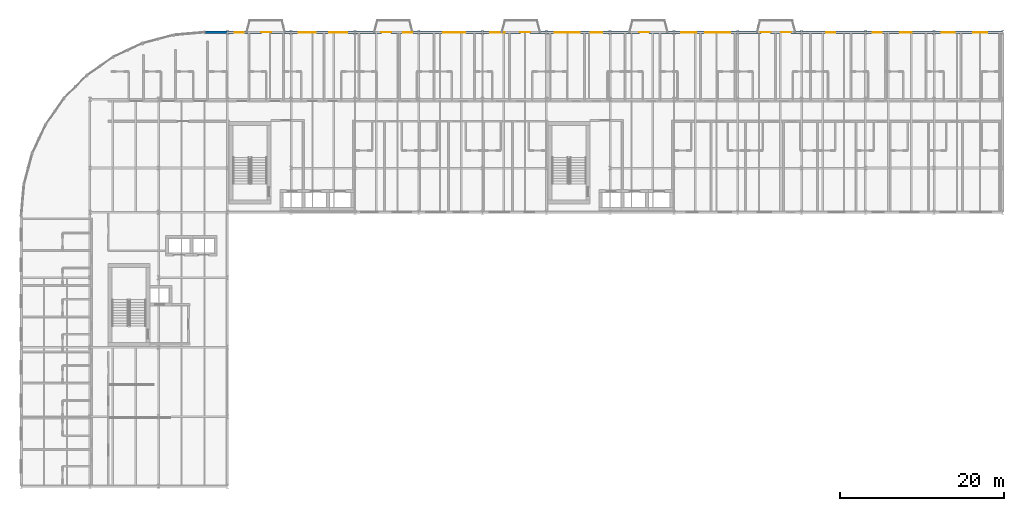
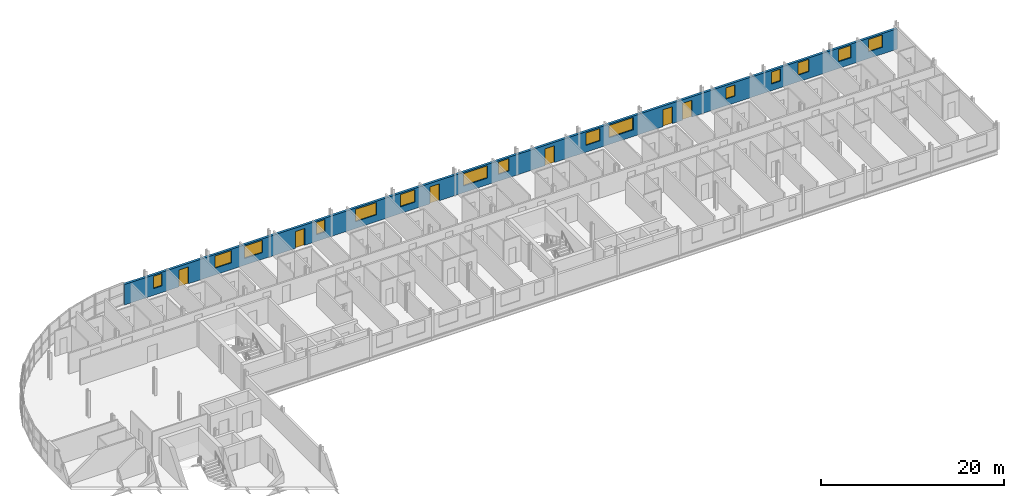
# One storey, part 29 of 34: 15 windows, 6 doors, 1 wall, 21 openings.
"""IFC4 building model written with IfcOpenShell, lengths in metres."""

from ifc_helpers import new_model, si_unit, direction, frame, frame_2d, origin, place, context, subcontext, project, spatial, rectangle, extrude, material, layer, layer_set, type_object, element, fill, save


model = new_model("IFC4")

# Units and contexts
model_context = context("Model", 3, precision=1e-05, world=origin(), true_north=direction((0.0, 1.0)))
body_context = subcontext(model_context, "Body", "Model", "MODEL_VIEW")
ifc_project = project(units=[si_unit("LENGTHUNIT", "METRE"), si_unit("AREAUNIT", "SQUARE_METRE"), si_unit("VOLUMEUNIT", "CUBIC_METRE"), si_unit("PLANEANGLEUNIT", "RADIAN"), si_unit("MASSUNIT", "GRAM", prefix="KILO")], contexts=[model_context])

# Site, building, storey
site_placement = place(None, origin())
site = spatial("IfcSite", under=ifc_project, at=site_placement, CompositionType="ELEMENT")
building_placement = place(site_placement, origin())
building = spatial("IfcBuilding", under=site, at=building_placement, Name="Sefraquen Railside Congress Hotel", CompositionType="ELEMENT")
storey_placement = place(building_placement, frame((0.0, 0.0, 31.800048828125)))
storey = spatial("IfcBuildingStorey", under=building, at=storey_placement, Name="L07", CompositionType="ELEMENT", Elevation=31.800048828125)

# Wall, openings, doors, windows
ifc_material_1 = material(Name="Ochre Rabat calcarenite limestone and Concrete C40/50 backing", Category="masonry")
ifc_layer = layer(ifc_material_1, 0.300048828125)
ifc_layer_set = layer_set([ifc_layer], Name="Ochre Rabat calcarenite limestone and Concrete C40/50 backing")
wall_type = type_object("IfcWallType", Name="TW-EW-300", PredefinedType="STANDARD", material=ifc_layer_set)
wall_placement = place(storey_placement, frame((22.5, 118.0, 0.0), z_axis=(0.0, 0.0, 1.0), x_axis=(1.0, 0.0, 0.0)))
wall = element("IfcWall", 1, at=wall_placement, inside=storey, type_object=wall_type, Name="Hotel L07 North Boulevard limestone facade wall", PredefinedType="STANDARD", context=body_context, shape_type="SweptSolid", body=[
    extrude(rectangle(XDim=97.5, YDim=0.300048828125, at=frame_2d((48.75, 0.0))), origin(), (0.0, 0.0, 1.0), 2.719970703125),
])
opening_1_placement = place(wall_placement, frame((3.610107421875, 0.0, 0.89990234375)))
opening_1 = element("IfcOpeningElement", 2, at=opening_1_placement, cuts=wall, Name="Opening WN-05", PredefinedType="OPENING", context=body_context, shape_type="SweptSolid", body=[
    extrude(rectangle(XDim=1.10009765625, YDim=1.639892578125, at=frame_2d((0.550048828125, 0.81982421875))), frame((0.0, 0.159912109375, 0.0), z_axis=(0.0, -1.0, 0.0), x_axis=(1.0, 0.0, 0.0)), (0.0, 0.0, 1.0), 0.320068359375),
])
opening_2_placement = place(wall_placement, frame((6.85498046875, 0.0, 0.0)))
opening_2 = element("IfcOpeningElement", 3, at=opening_2_placement, cuts=wall, Name="Opening BD-01", PredefinedType="OPENING", context=body_context, shape_type="SweptSolid", body=[
    extrude(rectangle(XDim=1.199951171875, YDim=2.25, at=frame_2d((0.60009765625, 1.125))), frame((0.0, 0.159912109375, 0.0), z_axis=(0.0, -1.0, 0.0), x_axis=(1.0, 0.0, 0.0)), (0.0, 0.0, 1.0), 0.320068359375),
])
opening_3_placement = place(wall_placement, frame((11.405029296875, 0.0, 0.89990234375)))
opening_3 = element("IfcOpeningElement", 4, at=opening_3_placement, cuts=wall, Name="Opening WN-07", PredefinedType="OPENING", context=body_context, shape_type="SweptSolid", body=[
    extrude(rectangle(XDim=2.10009765625, YDim=1.639892578125, at=frame_2d((1.050048828125, 0.81982421875))), frame((0.0, 0.159912109375, 0.0), z_axis=(0.0, -1.0, 0.0), x_axis=(1.0, 0.0, 0.0)), (0.0, 0.0, 1.0), 0.320068359375),
])
opening_4_placement = place(wall_placement, frame((15.1298828125, 0.0, 0.89990234375)))
opening_4 = element("IfcOpeningElement", 5, at=opening_4_placement, cuts=wall, Name="Opening WN-08", PredefinedType="OPENING", context=body_context, shape_type="SweptSolid", body=[
    extrude(rectangle(XDim=2.25, YDim=1.639892578125, at=frame_2d((1.125, 0.81982421875))), frame((0.0, 0.159912109375, 0.0), z_axis=(0.0, -1.0, 0.0), x_axis=(1.0, 0.0, 0.0)), (0.0, 0.0, 1.0), 0.320068359375),
])
opening_5_placement = place(wall_placement, frame((21.530029296875, 0.0, 0.0)))
opening_5 = element("IfcOpeningElement", 6, at=opening_5_placement, cuts=wall, Name="Opening BD-01", PredefinedType="OPENING", context=body_context, shape_type="SweptSolid", body=[
    extrude(rectangle(XDim=1.199951171875, YDim=2.25, at=frame_2d((0.60009765625, 1.125))), frame((0.0, 0.159912109375, 0.0), z_axis=(0.0, -1.0, 0.0), x_axis=(1.0, 0.0, 0.0)), (0.0, 0.0, 1.0), 0.320068359375),
])
opening_6_placement = place(wall_placement, frame((24.179931640625, 0.0, 0.89990234375)))
opening_6 = element("IfcOpeningElement", 7, at=opening_6_placement, cuts=wall, Name="Opening WN-10", PredefinedType="OPENING", context=body_context, shape_type="SweptSolid", body=[
    extrude(rectangle(XDim=1.10009765625, YDim=1.639892578125, at=frame_2d((0.550048828125, 0.81982421875))), frame((0.0, 0.159912109375, 0.0), z_axis=(0.0, -1.0, 0.0), x_axis=(1.0, 0.0, 0.0)), (0.0, 0.0, 1.0), 0.320068359375),
])
opening_7_placement = place(wall_placement, frame((29.10498046875, 0.0, 0.89990234375)))
opening_7 = element("IfcOpeningElement", 8, at=opening_7_placement, cuts=wall, Name="Opening WN-11", PredefinedType="OPENING", context=body_context, shape_type="SweptSolid", body=[
    extrude(rectangle(XDim=2.699951171875, YDim=1.639892578125, at=frame_2d((1.35009765625, 0.81982421875))), frame((0.0, 0.159912109375, 0.0), z_axis=(0.0, -1.0, 0.0), x_axis=(1.0, 0.0, 0.0)), (0.0, 0.0, 1.0), 0.320068359375),
])
opening_8_placement = place(wall_placement, frame((34.830078125, 0.0, 0.89990234375)))
opening_8 = element("IfcOpeningElement", 9, at=opening_8_placement, cuts=wall, Name="Opening WN-12", PredefinedType="OPENING", context=body_context, shape_type="SweptSolid", body=[
    extrude(rectangle(XDim=1.800048828125, YDim=1.639892578125, at=frame_2d((0.89990234375, 0.81982421875))), frame((0.0, 0.159912109375, 0.0), z_axis=(0.0, -1.0, 0.0), x_axis=(1.0, 0.0, 0.0)), (0.0, 0.0, 1.0), 0.320068359375),
])
opening_9_placement = place(wall_placement, frame((38.52490234375, 0.0, 0.0)))
opening_9 = element("IfcOpeningElement", 10, at=opening_9_placement, cuts=wall, Name="Opening BD-01", PredefinedType="OPENING", context=body_context, shape_type="SweptSolid", body=[
    extrude(rectangle(XDim=1.199951171875, YDim=2.25, at=frame_2d((0.60009765625, 1.125))), frame((0.0, 0.159912109375, 0.0), z_axis=(0.0, -1.0, 0.0), x_axis=(1.0, 0.0, 0.0)), (0.0, 0.0, 1.0), 0.320068359375),
])
opening_10_placement = place(wall_placement, frame((42.72998046875, 0.0, 0.89990234375)))
opening_10 = element("IfcOpeningElement", 11, at=opening_10_placement, cuts=wall, Name="Opening WN-14", PredefinedType="OPENING", context=body_context, shape_type="SweptSolid", body=[
    extrude(rectangle(XDim=3.050048828125, YDim=1.639892578125, at=frame_2d((1.52490234375, 0.81982421875))), frame((0.0, 0.159912109375, 0.0), z_axis=(0.0, -1.0, 0.0), x_axis=(1.0, 0.0, 0.0)), (0.0, 0.0, 1.0), 0.320068359375),
])
opening_11_placement = place(wall_placement, frame((47.155029296875, 0.0, 0.89990234375)))
opening_11 = element("IfcOpeningElement", 12, at=opening_11_placement, cuts=wall, Name="Opening WN-15", PredefinedType="OPENING", context=body_context, shape_type="SweptSolid", body=[
    extrude(rectangle(XDim=1.35009765625, YDim=1.639892578125, at=frame_2d((0.675048828125, 0.81982421875))), frame((0.0, 0.159912109375, 0.0), z_axis=(0.0, -1.0, 0.0), x_axis=(1.0, 0.0, 0.0)), (0.0, 0.0, 1.0), 0.320068359375),
])
opening_12_placement = place(wall_placement, frame((53.06494140625, 0.0, 0.0)))
opening_12 = element("IfcOpeningElement", 13, at=opening_12_placement, cuts=wall, Name="Opening BD-01", PredefinedType="OPENING", context=body_context, shape_type="SweptSolid", body=[
    extrude(rectangle(XDim=1.199951171875, YDim=2.25, at=frame_2d((0.60009765625, 1.125))), frame((0.0, 0.159912109375, 0.0), z_axis=(0.0, -1.0, 0.0), x_axis=(1.0, 0.0, 0.0)), (0.0, 0.0, 1.0), 0.320068359375),
])
opening_13_placement = place(wall_placement, frame((58.199951171875, 0.0, 0.89990234375)))
opening_13 = element("IfcOpeningElement", 14, at=opening_13_placement, cuts=wall, Name="Opening WN-17", PredefinedType="OPENING", context=body_context, shape_type="SweptSolid", body=[
    extrude(rectangle(XDim=1.800048828125, YDim=1.639892578125, at=frame_2d((0.89990234375, 0.81982421875))), frame((0.0, 0.159912109375, 0.0), z_axis=(0.0, -1.0, 0.0), x_axis=(1.0, 0.0, 0.0)), (0.0, 0.0, 1.0), 0.320068359375),
])
opening_14_placement = place(wall_placement, frame((61.1298828125, 0.0, 0.89990234375)))
opening_14 = element("IfcOpeningElement", 15, at=opening_14_placement, cuts=wall, Name="Opening WN-18", PredefinedType="OPENING", context=body_context, shape_type="SweptSolid", body=[
    extrude(rectangle(XDim=3.050048828125, YDim=1.639892578125, at=frame_2d((1.52490234375, 0.81982421875))), frame((0.0, 0.159912109375, 0.0), z_axis=(0.0, -1.0, 0.0), x_axis=(1.0, 0.0, 0.0)), (0.0, 0.0, 1.0), 0.320068359375),
])
opening_15_placement = place(wall_placement, frame((67.929931640625, 0.0, 0.0)))
opening_15 = element("IfcOpeningElement", 16, at=opening_15_placement, cuts=wall, Name="Opening BD-01", PredefinedType="OPENING", context=body_context, shape_type="SweptSolid", body=[
    extrude(rectangle(XDim=1.199951171875, YDim=2.25, at=frame_2d((0.60009765625, 1.125))), frame((0.0, 0.159912109375, 0.0), z_axis=(0.0, -1.0, 0.0), x_axis=(1.0, 0.0, 0.0)), (0.0, 0.0, 1.0), 0.320068359375),
])
opening_16_placement = place(wall_placement, frame((70.389892578125, 0.0, 0.0)))
opening_16 = element("IfcOpeningElement", 17, at=opening_16_placement, cuts=wall, Name="Opening BD-01", PredefinedType="OPENING", context=body_context, shape_type="SweptSolid", body=[
    extrude(rectangle(XDim=1.199951171875, YDim=2.25, at=frame_2d((0.60009765625, 1.125))), frame((0.0, 0.159912109375, 0.0), z_axis=(0.0, -1.0, 0.0), x_axis=(1.0, 0.0, 0.0)), (0.0, 0.0, 1.0), 0.320068359375),
])
opening_17_placement = place(wall_placement, frame((75.905029296875, 0.0, 0.89990234375)))
opening_17 = element("IfcOpeningElement", 18, at=opening_17_placement, cuts=wall, Name="Opening WN-21", PredefinedType="OPENING", context=body_context, shape_type="SweptSolid", body=[
    extrude(rectangle(XDim=1.10009765625, YDim=1.5, at=frame_2d((0.550048828125, 0.75))), frame((0.0, 0.159912109375, 0.0), z_axis=(0.0, -1.0, 0.0), x_axis=(1.0, 0.0, 0.0)), (0.0, 0.0, 1.0), 0.320068359375),
])
opening_18_placement = place(wall_placement, frame((81.6298828125, 0.0, 0.89990234375)))
opening_18 = element("IfcOpeningElement", 19, at=opening_18_placement, cuts=wall, Name="Opening WN-22", PredefinedType="OPENING", context=body_context, shape_type="SweptSolid", body=[
    extrude(rectangle(XDim=1.10009765625, YDim=1.60009765625, at=frame_2d((0.550048828125, 0.800048828125))), frame((0.0, 0.159912109375, 0.0), z_axis=(0.0, -1.0, 0.0), x_axis=(1.0, 0.0, 0.0)), (0.0, 0.0, 1.0), 0.320068359375),
])
opening_19_placement = place(wall_placement, frame((84.955078125, 0.0, 0.89990234375)))
opening_19 = element("IfcOpeningElement", 20, at=opening_19_placement, cuts=wall, Name="Opening WN-23", PredefinedType="OPENING", context=body_context, shape_type="SweptSolid", body=[
    extrude(rectangle(XDim=1.39990234375, YDim=1.639892578125, at=frame_2d((0.699951171875, 0.81982421875))), frame((0.0, 0.159912109375, 0.0), z_axis=(0.0, -1.0, 0.0), x_axis=(1.0, 0.0, 0.0)), (0.0, 0.0, 1.0), 0.320068359375),
])
opening_20_placement = place(wall_placement, frame((90.054931640625, 0.0, 0.89990234375)))
opening_20 = element("IfcOpeningElement", 21, at=opening_20_placement, cuts=wall, Name="Opening WN-24", PredefinedType="OPENING", context=body_context, shape_type="SweptSolid", body=[
    extrude(rectangle(XDim=1.60009765625, YDim=1.639892578125, at=frame_2d((0.800048828125, 0.81982421875))), frame((0.0, 0.159912109375, 0.0), z_axis=(0.0, -1.0, 0.0), x_axis=(1.0, 0.0, 0.0)), (0.0, 0.0, 1.0), 0.320068359375),
])
opening_21_placement = place(wall_placement, frame((93.8701171875, 0.0, 0.89990234375)))
opening_21 = element("IfcOpeningElement", 22, at=opening_21_placement, cuts=wall, Name="Opening WN-25", PredefinedType="OPENING", context=body_context, shape_type="SweptSolid", body=[
    extrude(rectangle(XDim=1.75, YDim=1.639892578125, at=frame_2d((0.875, 0.81982421875))), frame((0.0, 0.159912109375, 0.0), z_axis=(0.0, -1.0, 0.0), x_axis=(1.0, 0.0, 0.0)), (0.0, 0.0, 1.0), 0.320068359375),
])
ifc_material_2 = material(Name="Bronze and low-E fire-rated glass", Category="glass")
door_type = type_object("IfcDoorType", Name="TD-BD-01", OperationType="NOTDEFINED", PredefinedType="DOOR", material=ifc_material_2)
door_1_placement = place(opening_2_placement, origin())
door_1 = element("IfcDoor", 23, at=door_1_placement, inside=storey, type_object=door_type, Name="Guest balcony glazed door SP-L07-RM-002", OperationType="SINGLE_SWING_LEFT", OverallHeight=2.25, OverallWidth=1.199951171875, PredefinedType="DOOR", context=body_context, shape_type="SweptSolid", body=[
    extrude(rectangle(XDim=1.199951171875, YDim=2.25, at=frame_2d((0.60009765625, 1.125))), frame((0.0, 0.02490234375, 0.0), z_axis=(0.0, -1.0, 0.0), x_axis=(1.0, 0.0, 0.0)), (0.0, 0.0, 1.0), 0.050048828125),
])
fill(opening_2, door_1)
door_2_placement = place(opening_5_placement, origin())
door_2 = element("IfcDoor", 24, at=door_2_placement, inside=storey, type_object=door_type, Name="Guest balcony glazed door SP-L07-RM-005", OperationType="SINGLE_SWING_RIGHT", OverallHeight=2.25, OverallWidth=1.199951171875, PredefinedType="DOOR", context=body_context, shape_type="SweptSolid", body=[
    extrude(rectangle(XDim=1.199951171875, YDim=2.25, at=frame_2d((0.60009765625, 1.125))), frame((0.0, 0.02490234375, 0.0), z_axis=(0.0, -1.0, 0.0), x_axis=(1.0, 0.0, 0.0)), (0.0, 0.0, 1.0), 0.050048828125),
])
fill(opening_5, door_2)
door_3_placement = place(opening_9_placement, origin())
door_3 = element("IfcDoor", 25, at=door_3_placement, inside=storey, type_object=door_type, Name="Guest balcony glazed door SP-L07-RM-009", OperationType="SINGLE_SWING_RIGHT", OverallHeight=2.25, OverallWidth=1.199951171875, PredefinedType="DOOR", context=body_context, shape_type="SweptSolid", body=[
    extrude(rectangle(XDim=1.199951171875, YDim=2.25, at=frame_2d((0.60009765625, 1.125))), frame((0.0, 0.02490234375, 0.0), z_axis=(0.0, -1.0, 0.0), x_axis=(1.0, 0.0, 0.0)), (0.0, 0.0, 1.0), 0.050048828125),
])
fill(opening_9, door_3)
door_4_placement = place(opening_12_placement, origin())
door_4 = element("IfcDoor", 26, at=door_4_placement, inside=storey, type_object=door_type, Name="Guest balcony glazed door SP-L07-RM-012", OperationType="SINGLE_SWING_LEFT", OverallHeight=2.25, OverallWidth=1.199951171875, PredefinedType="DOOR", context=body_context, shape_type="SweptSolid", body=[
    extrude(rectangle(XDim=1.199951171875, YDim=2.25, at=frame_2d((0.60009765625, 1.125))), frame((0.0, 0.02490234375, 0.0), z_axis=(0.0, -1.0, 0.0), x_axis=(1.0, 0.0, 0.0)), (0.0, 0.0, 1.0), 0.050048828125),
])
fill(opening_12, door_4)
door_5_placement = place(opening_15_placement, origin())
door_5 = element("IfcDoor", 27, at=door_5_placement, inside=storey, type_object=door_type, Name="Guest balcony glazed door SP-L07-RM-015", OperationType="SINGLE_SWING_RIGHT", OverallHeight=2.25, OverallWidth=1.199951171875, PredefinedType="DOOR", context=body_context, shape_type="SweptSolid", body=[
    extrude(rectangle(XDim=1.199951171875, YDim=2.25, at=frame_2d((0.60009765625, 1.125))), frame((0.0, 0.02490234375, 0.0), z_axis=(0.0, -1.0, 0.0), x_axis=(1.0, 0.0, 0.0)), (0.0, 0.0, 1.0), 0.050048828125),
])
fill(opening_15, door_5)
door_6_placement = place(opening_16_placement, origin())
door_6 = element("IfcDoor", 28, at=door_6_placement, inside=storey, type_object=door_type, Name="Guest balcony glazed door SP-L07-RM-016", OperationType="SINGLE_SWING_LEFT", OverallHeight=2.25, OverallWidth=1.199951171875, PredefinedType="DOOR", context=body_context, shape_type="SweptSolid", body=[
    extrude(rectangle(XDim=1.199951171875, YDim=2.25, at=frame_2d((0.60009765625, 1.125))), frame((0.0, 0.02490234375, 0.0), z_axis=(0.0, -1.0, 0.0), x_axis=(1.0, 0.0, 0.0)), (0.0, 0.0, 1.0), 0.050048828125),
])
fill(opening_16, door_6)
ifc_material_3 = material(Name="Solar-control low-E double glazing in bronze-anodised frame", Category="glass")
window_type_1 = type_object("IfcWindowType", Name="TWN-W-05", PartitioningType="DOUBLE_PANEL_VERTICAL", PredefinedType="WINDOW", material=ifc_material_3)
window_1_placement = place(opening_1_placement, origin())
window_1 = element("IfcWindow", 29, at=window_1_placement, inside=storey, type_object=window_type_1, Name="Guest room north window SP-L07-RM-001", OverallHeight=1.639892578125, OverallWidth=1.10009765625, PartitioningType="DOUBLE_PANEL_VERTICAL", PredefinedType="WINDOW", context=body_context, shape_type="SweptSolid", body=[
    extrude(rectangle(XDim=1.10009765625, YDim=1.639892578125, at=frame_2d((0.550048828125, 0.81982421875))), frame((0.0, 0.030029296875, 0.0), z_axis=(0.0, -1.0, 0.0), x_axis=(1.0, 0.0, 0.0)), (0.0, 0.0, 1.0), 0.06005859375),
])
fill(opening_1, window_1)
window_type_2 = type_object("IfcWindowType", Name="TWN-W-07", PartitioningType="DOUBLE_PANEL_VERTICAL", PredefinedType="WINDOW", material=ifc_material_3)
window_2_placement = place(opening_3_placement, origin())
window_2 = element("IfcWindow", 30, at=window_2_placement, inside=storey, type_object=window_type_2, Name="Guest room north window SP-L07-RM-003", OverallHeight=1.639892578125, OverallWidth=2.10009765625, PartitioningType="DOUBLE_PANEL_VERTICAL", PredefinedType="WINDOW", context=body_context, shape_type="SweptSolid", body=[
    extrude(rectangle(XDim=2.10009765625, YDim=1.639892578125, at=frame_2d((1.050048828125, 0.81982421875))), frame((0.0, 0.030029296875, 0.0), z_axis=(0.0, -1.0, 0.0), x_axis=(1.0, 0.0, 0.0)), (0.0, 0.0, 1.0), 0.06005859375),
])
fill(opening_3, window_2)
window_type_3 = type_object("IfcWindowType", Name="TWN-W-08", PartitioningType="DOUBLE_PANEL_VERTICAL", PredefinedType="WINDOW", material=ifc_material_3)
window_3_placement = place(opening_4_placement, origin())
window_3 = element("IfcWindow", 31, at=window_3_placement, inside=storey, type_object=window_type_3, Name="Guest room north window SP-L07-RM-004", OverallHeight=1.639892578125, OverallWidth=2.25, PartitioningType="DOUBLE_PANEL_VERTICAL", PredefinedType="WINDOW", context=body_context, shape_type="SweptSolid", body=[
    extrude(rectangle(XDim=2.25, YDim=1.639892578125, at=frame_2d((1.125, 0.81982421875))), frame((0.0, 0.030029296875, 0.0), z_axis=(0.0, -1.0, 0.0), x_axis=(1.0, 0.0, 0.0)), (0.0, 0.0, 1.0), 0.06005859375),
])
fill(opening_4, window_3)
window_type_4 = type_object("IfcWindowType", Name="TWN-W-10", PartitioningType="DOUBLE_PANEL_VERTICAL", PredefinedType="WINDOW", material=ifc_material_3)
window_4_placement = place(opening_6_placement, origin())
window_4 = element("IfcWindow", 32, at=window_4_placement, inside=storey, type_object=window_type_4, Name="Guest room north window SP-L07-RM-006", OverallHeight=1.639892578125, OverallWidth=1.10009765625, PartitioningType="DOUBLE_PANEL_VERTICAL", PredefinedType="WINDOW", context=body_context, shape_type="SweptSolid", body=[
    extrude(rectangle(XDim=1.10009765625, YDim=1.639892578125, at=frame_2d((0.550048828125, 0.81982421875))), frame((0.0, 0.030029296875, 0.0), z_axis=(0.0, -1.0, 0.0), x_axis=(1.0, 0.0, 0.0)), (0.0, 0.0, 1.0), 0.06005859375),
])
fill(opening_6, window_4)
window_type_5 = type_object("IfcWindowType", Name="TWN-W-11", PartitioningType="DOUBLE_PANEL_VERTICAL", PredefinedType="WINDOW", material=ifc_material_3)
window_5_placement = place(opening_7_placement, origin())
window_5 = element("IfcWindow", 33, at=window_5_placement, inside=storey, type_object=window_type_5, Name="Guest room north window SP-L07-RM-007", OverallHeight=1.639892578125, OverallWidth=2.699951171875, PartitioningType="DOUBLE_PANEL_VERTICAL", PredefinedType="WINDOW", context=body_context, shape_type="SweptSolid", body=[
    extrude(rectangle(XDim=2.699951171875, YDim=1.639892578125, at=frame_2d((1.35009765625, 0.81982421875))), frame((0.0, 0.030029296875, 0.0), z_axis=(0.0, -1.0, 0.0), x_axis=(1.0, 0.0, 0.0)), (0.0, 0.0, 1.0), 0.06005859375),
])
fill(opening_7, window_5)
window_type_6 = type_object("IfcWindowType", Name="TWN-W-12", PartitioningType="DOUBLE_PANEL_VERTICAL", PredefinedType="WINDOW", material=ifc_material_3)
window_6_placement = place(opening_8_placement, origin())
window_6 = element("IfcWindow", 34, at=window_6_placement, inside=storey, type_object=window_type_6, Name="Guest room north window SP-L07-RM-008", OverallHeight=1.639892578125, OverallWidth=1.800048828125, PartitioningType="DOUBLE_PANEL_VERTICAL", PredefinedType="WINDOW", context=body_context, shape_type="SweptSolid", body=[
    extrude(rectangle(XDim=1.800048828125, YDim=1.639892578125, at=frame_2d((0.89990234375, 0.81982421875))), frame((0.0, 0.030029296875, 0.0), z_axis=(0.0, -1.0, 0.0), x_axis=(1.0, 0.0, 0.0)), (0.0, 0.0, 1.0), 0.06005859375),
])
fill(opening_8, window_6)
window_type_7 = type_object("IfcWindowType", Name="TWN-W-14", PartitioningType="DOUBLE_PANEL_VERTICAL", PredefinedType="WINDOW", material=ifc_material_3)
window_7_placement = place(opening_10_placement, origin())
window_7 = element("IfcWindow", 35, at=window_7_placement, inside=storey, type_object=window_type_7, Name="Guest room north window SP-L07-RM-010", OverallHeight=1.639892578125, OverallWidth=3.050048828125, PartitioningType="DOUBLE_PANEL_VERTICAL", PredefinedType="WINDOW", context=body_context, shape_type="SweptSolid", body=[
    extrude(rectangle(XDim=3.050048828125, YDim=1.639892578125, at=frame_2d((1.52490234375, 0.81982421875))), frame((0.0, 0.030029296875, 0.0), z_axis=(0.0, -1.0, 0.0), x_axis=(1.0, 0.0, 0.0)), (0.0, 0.0, 1.0), 0.06005859375),
])
fill(opening_10, window_7)
window_type_8 = type_object("IfcWindowType", Name="TWN-W-15", PartitioningType="DOUBLE_PANEL_VERTICAL", PredefinedType="WINDOW", material=ifc_material_3)
window_8_placement = place(opening_11_placement, origin())
window_8 = element("IfcWindow", 36, at=window_8_placement, inside=storey, type_object=window_type_8, Name="Guest room north window SP-L07-RM-011", OverallHeight=1.639892578125, OverallWidth=1.35009765625, PartitioningType="DOUBLE_PANEL_VERTICAL", PredefinedType="WINDOW", context=body_context, shape_type="SweptSolid", body=[
    extrude(rectangle(XDim=1.35009765625, YDim=1.639892578125, at=frame_2d((0.675048828125, 0.81982421875))), frame((0.0, 0.030029296875, 0.0), z_axis=(0.0, -1.0, 0.0), x_axis=(1.0, 0.0, 0.0)), (0.0, 0.0, 1.0), 0.06005859375),
])
fill(opening_11, window_8)
window_type_9 = type_object("IfcWindowType", Name="TWN-W-17", PartitioningType="DOUBLE_PANEL_VERTICAL", PredefinedType="WINDOW", material=ifc_material_3)
window_9_placement = place(opening_13_placement, origin())
window_9 = element("IfcWindow", 37, at=window_9_placement, inside=storey, type_object=window_type_9, Name="Guest room north window SP-L07-RM-013", OverallHeight=1.639892578125, OverallWidth=1.800048828125, PartitioningType="DOUBLE_PANEL_VERTICAL", PredefinedType="WINDOW", context=body_context, shape_type="SweptSolid", body=[
    extrude(rectangle(XDim=1.800048828125, YDim=1.639892578125, at=frame_2d((0.89990234375, 0.81982421875))), frame((0.0, 0.030029296875, 0.0), z_axis=(0.0, -1.0, 0.0), x_axis=(1.0, 0.0, 0.0)), (0.0, 0.0, 1.0), 0.06005859375),
])
fill(opening_13, window_9)
window_type_10 = type_object("IfcWindowType", Name="TWN-W-18", PartitioningType="DOUBLE_PANEL_VERTICAL", PredefinedType="WINDOW", material=ifc_material_3)
window_10_placement = place(opening_14_placement, origin())
window_10 = element("IfcWindow", 38, at=window_10_placement, inside=storey, type_object=window_type_10, Name="Guest room north window SP-L07-RM-014", OverallHeight=1.639892578125, OverallWidth=3.050048828125, PartitioningType="DOUBLE_PANEL_VERTICAL", PredefinedType="WINDOW", context=body_context, shape_type="SweptSolid", body=[
    extrude(rectangle(XDim=3.050048828125, YDim=1.639892578125, at=frame_2d((1.52490234375, 0.81982421875))), frame((0.0, 0.030029296875, 0.0), z_axis=(0.0, -1.0, 0.0), x_axis=(1.0, 0.0, 0.0)), (0.0, 0.0, 1.0), 0.06005859375),
])
fill(opening_14, window_10)
window_type_11 = type_object("IfcWindowType", Name="TWN-W-21", PartitioningType="DOUBLE_PANEL_VERTICAL", PredefinedType="WINDOW", material=ifc_material_3)
window_11_placement = place(opening_17_placement, origin())
window_11 = element("IfcWindow", 39, at=window_11_placement, inside=storey, type_object=window_type_11, Name="Guest room north window SP-L07-RM-017", OverallHeight=1.5, OverallWidth=1.10009765625, PartitioningType="DOUBLE_PANEL_VERTICAL", PredefinedType="WINDOW", context=body_context, shape_type="SweptSolid", body=[
    extrude(rectangle(XDim=1.10009765625, YDim=1.5, at=frame_2d((0.550048828125, 0.75))), frame((0.0, 0.030029296875, 0.0), z_axis=(0.0, -1.0, 0.0), x_axis=(1.0, 0.0, 0.0)), (0.0, 0.0, 1.0), 0.06005859375),
])
fill(opening_17, window_11)
window_type_12 = type_object("IfcWindowType", Name="TWN-W-22", PartitioningType="DOUBLE_PANEL_VERTICAL", PredefinedType="WINDOW", material=ifc_material_3)
window_12_placement = place(opening_18_placement, origin())
window_12 = element("IfcWindow", 40, at=window_12_placement, inside=storey, type_object=window_type_12, Name="Guest room north window SP-L07-RM-018", OverallHeight=1.60009765625, OverallWidth=1.10009765625, PartitioningType="DOUBLE_PANEL_VERTICAL", PredefinedType="WINDOW", context=body_context, shape_type="SweptSolid", body=[
    extrude(rectangle(XDim=1.10009765625, YDim=1.60009765625, at=frame_2d((0.550048828125, 0.800048828125))), frame((0.0, 0.030029296875, 0.0), z_axis=(0.0, -1.0, 0.0), x_axis=(1.0, 0.0, 0.0)), (0.0, 0.0, 1.0), 0.06005859375),
])
fill(opening_18, window_12)
window_type_13 = type_object("IfcWindowType", Name="TWN-W-23", PartitioningType="DOUBLE_PANEL_VERTICAL", PredefinedType="WINDOW", material=ifc_material_3)
window_13_placement = place(opening_19_placement, origin())
window_13 = element("IfcWindow", 41, at=window_13_placement, inside=storey, type_object=window_type_13, Name="Guest room north window SP-L07-RM-019", OverallHeight=1.639892578125, OverallWidth=1.39990234375, PartitioningType="DOUBLE_PANEL_VERTICAL", PredefinedType="WINDOW", context=body_context, shape_type="SweptSolid", body=[
    extrude(rectangle(XDim=1.39990234375, YDim=1.639892578125, at=frame_2d((0.699951171875, 0.81982421875))), frame((0.0, 0.030029296875, 0.0), z_axis=(0.0, -1.0, 0.0), x_axis=(1.0, 0.0, 0.0)), (0.0, 0.0, 1.0), 0.06005859375),
])
fill(opening_19, window_13)
window_type_14 = type_object("IfcWindowType", Name="TWN-W-24", PartitioningType="DOUBLE_PANEL_VERTICAL", PredefinedType="WINDOW", material=ifc_material_3)
window_14_placement = place(opening_20_placement, origin())
window_14 = element("IfcWindow", 42, at=window_14_placement, inside=storey, type_object=window_type_14, Name="Guest room north window SP-L07-RM-020", OverallHeight=1.639892578125, OverallWidth=1.60009765625, PartitioningType="DOUBLE_PANEL_VERTICAL", PredefinedType="WINDOW", context=body_context, shape_type="SweptSolid", body=[
    extrude(rectangle(XDim=1.60009765625, YDim=1.639892578125, at=frame_2d((0.800048828125, 0.81982421875))), frame((0.0, 0.030029296875, 0.0), z_axis=(0.0, -1.0, 0.0), x_axis=(1.0, 0.0, 0.0)), (0.0, 0.0, 1.0), 0.06005859375),
])
fill(opening_20, window_14)
window_type_15 = type_object("IfcWindowType", Name="TWN-W-25", PartitioningType="DOUBLE_PANEL_VERTICAL", PredefinedType="WINDOW", material=ifc_material_3)
window_15_placement = place(opening_21_placement, origin())
window_15 = element("IfcWindow", 43, at=window_15_placement, inside=storey, type_object=window_type_15, Name="Guest room north window SP-L07-RM-021", OverallHeight=1.639892578125, OverallWidth=1.75, PartitioningType="DOUBLE_PANEL_VERTICAL", PredefinedType="WINDOW", context=body_context, shape_type="SweptSolid", body=[
    extrude(rectangle(XDim=1.75, YDim=1.639892578125, at=frame_2d((0.875, 0.81982421875))), frame((0.0, 0.030029296875, 0.0), z_axis=(0.0, -1.0, 0.0), x_axis=(1.0, 0.0, 0.0)), (0.0, 0.0, 1.0), 0.06005859375),
])
fill(opening_21, window_15)

save(model, "model.ifc")
